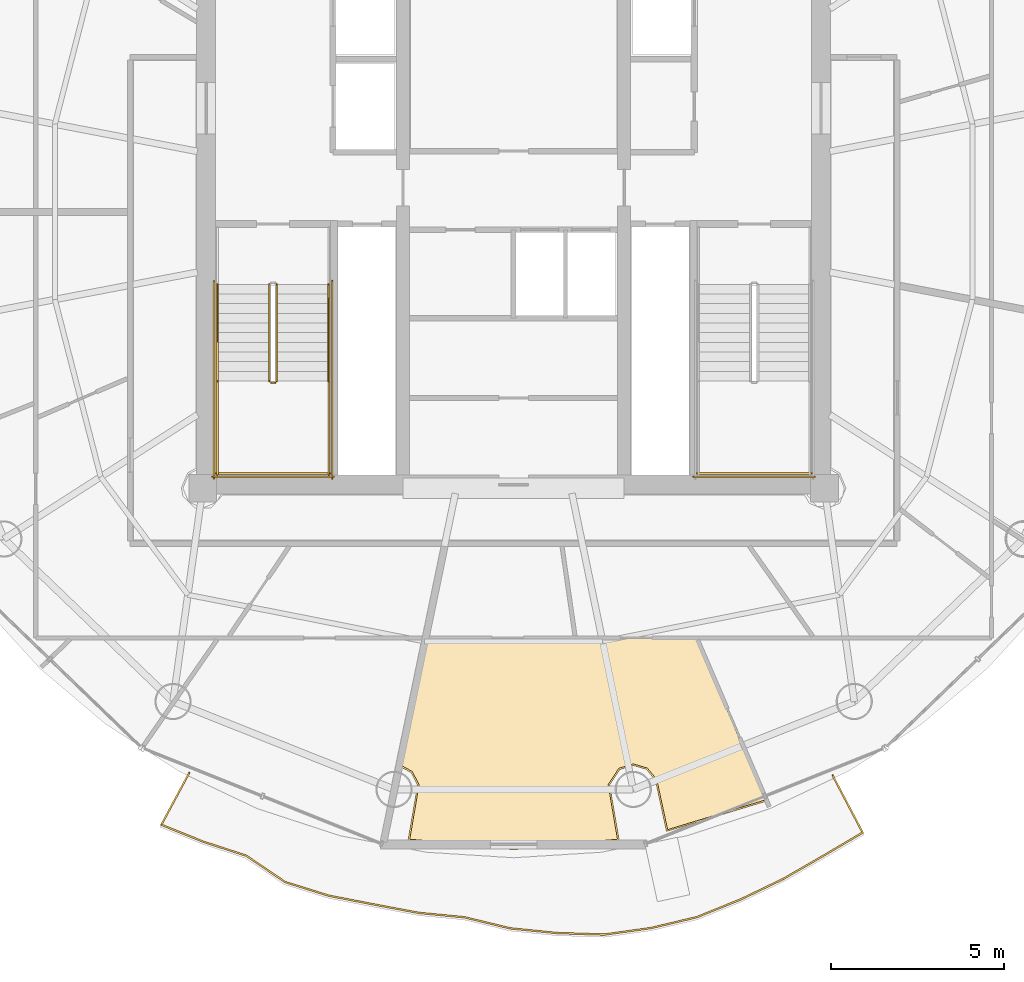
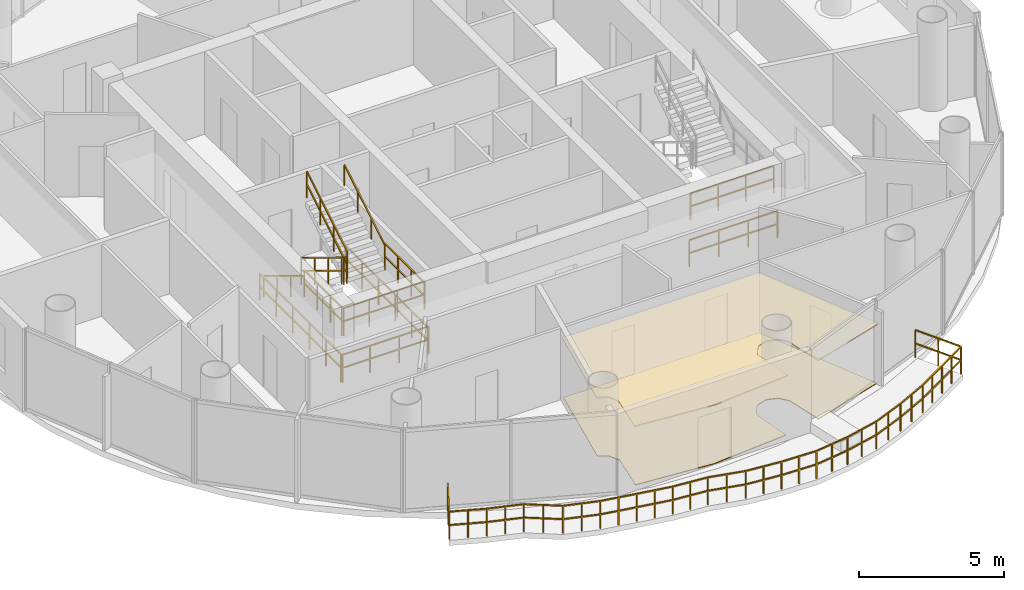
# One storey, part 21 of 23: 14 railings, 2 coverings.
"""IFC4 building model written with IfcOpenShell, lengths in metres."""

from ifc_helpers import new_model, si_unit, direction, frame, origin, origin_2d, place, context, subcontext, project, spatial, polyline, rectangle, outline, extrude, material, layer, layer_set, type_object, element, save


model = new_model("IFC4")

# Units and contexts
model_context = context("Model", 3, precision=1e-05, world=origin(), true_north=direction((-0.2419218956, 0.970295726276)))
body_context = subcontext(model_context, "Body", "Model", "MODEL_VIEW")
ifc_project = project(units=[si_unit("LENGTHUNIT", "METRE"), si_unit("AREAUNIT", "SQUARE_METRE"), si_unit("VOLUMEUNIT", "CUBIC_METRE"), si_unit("PLANEANGLEUNIT", "RADIAN"), si_unit("MASSUNIT", "GRAM", prefix="KILO")], contexts=[model_context])

# Site, building, storey
site_placement = place(None, origin())
site = spatial("IfcSite", under=ifc_project, at=site_placement, CompositionType="ELEMENT")
building_placement = place(site_placement, origin())
building = spatial("IfcBuilding", under=site, at=building_placement, Name="Cobrevalo Terracotta Tower", CompositionType="ELEMENT")
storey_placement = place(building_placement, frame((0.0, 0.0, 259.449951171875)))
storey = spatial("IfcBuildingStorey", under=building, at=storey_placement, Name="L68", CompositionType="ELEMENT", Elevation=259.449951171875)

# Railing
ifc_material_1 = material(Name="Laminated structural glass and stainless steel", Category="steel")
railing_type_1 = type_object("IfcRailingType", Name="Balcony lobe structural glass & terracotta-cap balustrade 1180 mm", PredefinedType="BALUSTRADE", material=ifc_material_1)
railing_1_placement = place(storey_placement, frame((28.607666015625, 10.558349609375, 0.0)))
element("IfcRailing", 1, at=railing_1_placement, inside=storey, type_object=railing_type_1, Name="L68 spiralling balcony lobe balustrade 2", PredefinedType="BALUSTRADE", context=body_context, shape_type="SweptSolid", body=[
    extrude(rectangle(XDim=0.048095703125, YDim=0.048095703125, at=origin_2d()), frame((0.0, 0.0, 1.15576171875), z_axis=(-0.473391793007, -0.880851979798, 0.0), x_axis=(0.880851979798, -0.473391793007, 0.0)), (0.0, 0.0, 1.0), 1.70703125),
    extrude(rectangle(XDim=0.048095703125, YDim=0.048095703125, at=origin_2d()), frame((0.0, 0.0, 0.58984375), z_axis=(-0.473391793007, -0.880851979798, 0.0), x_axis=(0.880851979798, -0.473391793007, 0.0)), (0.0, 0.0, 1.0), 1.70703125),
    extrude(rectangle(XDim=0.048095703125, YDim=0.048095703125, at=origin_2d()), frame((-0.80810546875, -1.503662109375, 1.15576171875), z_axis=(0.927447710254, -0.373952864335, 0.0), x_axis=(0.373952864335, 0.927447710254, 0.0)), (0.0, 0.0, 1.0), 1.3134765625),
    extrude(rectangle(XDim=0.048095703125, YDim=0.048095703125, at=origin_2d()), frame((-0.80810546875, -1.503662109375, 0.58984375), z_axis=(0.927447710254, -0.373952864335, 0.0), x_axis=(0.373952864335, 0.927447710254, 0.0)), (0.0, 0.0, 1.0), 1.3134765625),
    extrude(rectangle(XDim=0.048095703125, YDim=0.048095703125, at=origin_2d()), frame((0.41015625, -1.994873046875, 1.15576171875), z_axis=(0.950719061288, -0.310053651008, 0.0), x_axis=(0.310053651008, 0.950719061288, 0.0)), (0.0, 0.0, 1.0), 1.306396484375),
    extrude(rectangle(XDim=0.048095703125, YDim=0.048095703125, at=origin_2d()), frame((0.41015625, -1.994873046875, 0.58984375), z_axis=(0.950719061288, -0.310053651008, 0.0), x_axis=(0.310053651008, 0.950719061288, 0.0)), (0.0, 0.0, 1.0), 1.306396484375),
    extrude(rectangle(XDim=0.048095703125, YDim=0.048095703125, at=origin_2d()), frame((1.652099609375, -2.39990234375, 1.15576171875), z_axis=(0.827848642668, -0.56095153519, 0.0), x_axis=(0.56095153519, 0.827848642668, 0.0)), (0.0, 0.0, 1.0), 1.357421875),
    extrude(rectangle(XDim=0.048095703125, YDim=0.048095703125, at=origin_2d()), frame((1.652099609375, -2.39990234375, 0.58984375), z_axis=(0.827848642668, -0.56095153519, 0.0), x_axis=(0.56095153519, 0.827848642668, 0.0)), (0.0, 0.0, 1.0), 1.357421875),
    extrude(rectangle(XDim=0.048095703125, YDim=0.048095703125, at=origin_2d()), frame((2.77587890625, -3.161376953125, 1.15576171875), z_axis=(0.954332200206, -0.298747471369, 0.0), x_axis=(0.298747471369, 0.954332200206, 0.0)), (0.0, 0.0, 1.0), 1.323974609375),
    extrude(rectangle(XDim=0.048095703125, YDim=0.048095703125, at=origin_2d()), frame((2.77587890625, -3.161376953125, 0.58984375), z_axis=(0.954332200206, -0.298747471369, 0.0), x_axis=(0.298747471369, 0.954332200206, 0.0)), (0.0, 0.0, 1.0), 1.323974609375),
    extrude(rectangle(XDim=0.048095703125, YDim=0.048095703125, at=origin_2d()), frame((4.039306640625, -3.556884765625, 1.15576171875), z_axis=(0.981703375417, -0.19041660299, 0.0), x_axis=(0.19041660299, 0.981703375417, 0.0)), (0.0, 0.0, 1.0), 1.326904296875),
    extrude(rectangle(XDim=0.048095703125, YDim=0.048095703125, at=origin_2d()), frame((4.039306640625, -3.556884765625, 0.58984375), z_axis=(0.981703375417, -0.19041660299, 0.0), x_axis=(0.19041660299, 0.981703375417, 0.0)), (0.0, 0.0, 1.0), 1.326904296875),
    extrude(rectangle(XDim=0.048095703125, YDim=0.048095703125, at=origin_2d()), frame((5.342041015625, -3.8095703125, 1.15576171875), z_axis=(0.982753249749, -0.184921740498, 0.0), x_axis=(0.184921740498, 0.982753249749, 0.0)), (0.0, 0.0, 1.0), 1.326904296875),
    extrude(rectangle(XDim=0.048095703125, YDim=0.048095703125, at=origin_2d()), frame((5.342041015625, -3.8095703125, 0.58984375), z_axis=(0.982753249749, -0.184921740498, 0.0), x_axis=(0.184921740498, 0.982753249749, 0.0)), (0.0, 0.0, 1.0), 1.326904296875),
    extrude(rectangle(XDim=0.048095703125, YDim=0.048095703125, at=origin_2d()), frame((6.64599609375, -4.054931640625, 1.15576171875), z_axis=(0.995406672088, -0.095736916404, 0.0), x_axis=(0.095736916404, 0.995406672088, 0.0)), (0.0, 0.0, 1.0), 1.32861328125),
    extrude(rectangle(XDim=0.048095703125, YDim=0.048095703125, at=origin_2d()), frame((6.64599609375, -4.054931640625, 0.58984375), z_axis=(0.995406672088, -0.095736916404, 0.0), x_axis=(0.095736916404, 0.995406672088, 0.0)), (0.0, 0.0, 1.0), 1.32861328125),
    extrude(rectangle(XDim=0.048095703125, YDim=0.048095703125, at=origin_2d()), frame((7.968505859375, -4.18212890625, 1.15576171875), z_axis=(0.971965365021, -0.235124071928, 0.0), x_axis=(0.235124071928, 0.971965365021, 0.0)), (0.0, 0.0, 1.0), 1.365478515625),
    extrude(rectangle(XDim=0.048095703125, YDim=0.048095703125, at=origin_2d()), frame((7.968505859375, -4.18212890625, 0.58984375), z_axis=(0.971965365021, -0.235124071928, 0.0), x_axis=(0.235124071928, 0.971965365021, 0.0)), (0.0, 0.0, 1.0), 1.365478515625),
    extrude(rectangle(XDim=0.048095703125, YDim=0.048095703125, at=origin_2d()), frame((9.295654296875, -4.503173828125, 1.15576171875), z_axis=(0.995014075066, -0.099734599916, 0.0), x_axis=(0.099734599916, 0.995014075066, 0.0)), (0.0, 0.0, 1.0), 1.361083984375),
    extrude(rectangle(XDim=0.048095703125, YDim=0.048095703125, at=origin_2d()), frame((9.295654296875, -4.503173828125, 0.58984375), z_axis=(0.995014075066, -0.099734599916, 0.0), x_axis=(0.099734599916, 0.995014075066, 0.0)), (0.0, 0.0, 1.0), 1.361083984375),
    extrude(rectangle(XDim=0.048095703125, YDim=0.048095703125, at=origin_2d()), frame((10.64990234375, -4.638916015625, 1.15576171875), z_axis=(0.999491893347, -0.031874051115, 0.0), x_axis=(0.031874051115, 0.999491893347, 0.0)), (0.0, 0.0, 1.0), 1.37109375),
    extrude(rectangle(XDim=0.048095703125, YDim=0.048095703125, at=origin_2d()), frame((10.64990234375, -4.638916015625, 0.58984375), z_axis=(0.999491893347, -0.031874051115, 0.0), x_axis=(0.031874051115, 0.999491893347, 0.0)), (0.0, 0.0, 1.0), 1.37109375),
    extrude(rectangle(XDim=0.048095703125, YDim=0.048095703125, at=origin_2d()), frame((12.020263671875, -4.6826171875, 1.15576171875), z_axis=(0.990311254165, 0.138865474021, 0.0), x_axis=(-0.138865474021, 0.990311254165, 0.0)), (0.0, 0.0, 1.0), 1.3642578125),
    extrude(rectangle(XDim=0.048095703125, YDim=0.048095703125, at=origin_2d()), frame((12.020263671875, -4.6826171875, 0.58984375), z_axis=(0.990311254165, 0.138865474021, 0.0), x_axis=(-0.138865474021, 0.990311254165, 0.0)), (0.0, 0.0, 1.0), 1.3642578125),
    extrude(rectangle(XDim=0.048095703125, YDim=0.048095703125, at=origin_2d()), frame((13.371337890625, -4.4931640625, 1.15576171875), z_axis=(0.972875224873, 0.231330492647, 0.0), x_axis=(-0.231330492647, 0.972875224873, 0.0)), (0.0, 0.0, 1.0), 1.36572265625),
    extrude(rectangle(XDim=0.048095703125, YDim=0.048095703125, at=origin_2d()), frame((13.371337890625, -4.4931640625, 0.58984375), z_axis=(0.972875224873, 0.231330492647, 0.0), x_axis=(-0.231330492647, 0.972875224873, 0.0)), (0.0, 0.0, 1.0), 1.36572265625),
    extrude(rectangle(XDim=0.048095703125, YDim=0.048095703125, at=origin_2d()), frame((14.699951171875, -4.17724609375, 1.15576171875), z_axis=(0.926976435531, 0.375119564899, 0.0), x_axis=(-0.375119564899, 0.926976435531, 0.0)), (0.0, 0.0, 1.0), 1.36474609375),
    extrude(rectangle(XDim=0.048095703125, YDim=0.048095703125, at=origin_2d()), frame((14.699951171875, -4.17724609375, 0.58984375), z_axis=(0.926976435531, 0.375119564899, 0.0), x_axis=(-0.375119564899, 0.926976435531, 0.0)), (0.0, 0.0, 1.0), 1.36474609375),
    extrude(rectangle(XDim=0.048095703125, YDim=0.048095703125, at=origin_2d()), frame((15.965087890625, -3.665283203125, 1.15576171875), z_axis=(0.90126458519, 0.433269139776, 0.0), x_axis=(-0.433269139776, 0.90126458519, 0.0)), (0.0, 0.0, 1.0), 1.35693359375),
    extrude(rectangle(XDim=0.048095703125, YDim=0.048095703125, at=origin_2d()), frame((15.965087890625, -3.665283203125, 0.58984375), z_axis=(0.90126458519, 0.433269139776, 0.0), x_axis=(-0.433269139776, 0.90126458519, 0.0)), (0.0, 0.0, 1.0), 1.35693359375),
    extrude(rectangle(XDim=0.048095703125, YDim=0.048095703125, at=origin_2d()), frame((17.18798828125, -3.077392578125, 1.15576171875), z_axis=(0.866022320763, 0.500005339912, 0.0), x_axis=(-0.500005339912, 0.866022320763, 0.0)), (0.0, 0.0, 1.0), 1.3447265625),
    extrude(rectangle(XDim=0.048095703125, YDim=0.048095703125, at=origin_2d()), frame((17.18798828125, -3.077392578125, 0.58984375), z_axis=(0.866022320763, 0.500005339912, 0.0), x_axis=(-0.500005339912, 0.866022320763, 0.0)), (0.0, 0.0, 1.0), 1.3447265625),
    extrude(rectangle(XDim=0.048095703125, YDim=0.048095703125, at=origin_2d()), frame((18.3525390625, -2.405029296875, 1.15576171875), z_axis=(0.861580043035, 0.507621738545, 0.0), x_axis=(-0.507621738545, 0.861580043035, 0.0)), (0.0, 0.0, 1.0), 1.329833984375),
    extrude(rectangle(XDim=0.048095703125, YDim=0.048095703125, at=origin_2d()), frame((18.3525390625, -2.405029296875, 0.58984375), z_axis=(0.861580043035, 0.507621738545, 0.0), x_axis=(-0.507621738545, 0.861580043035, 0.0)), (0.0, 0.0, 1.0), 1.329833984375),
    extrude(rectangle(XDim=0.048095703125, YDim=0.048095703125, at=origin_2d()), frame((19.498291015625, -1.72998046875, 1.15576171875), z_axis=(-0.46554739259, 0.885022951823, 0.0), x_axis=(-0.885022951823, -0.46554739259, 0.0)), (0.0, 0.0, 1.0), 1.87060546875),
    extrude(rectangle(XDim=0.048095703125, YDim=0.048095703125, at=origin_2d()), frame((19.498291015625, -1.72998046875, 0.58984375), z_axis=(-0.46554739259, 0.885022951823, 0.0), x_axis=(-0.885022951823, -0.46554739259, 0.0)), (0.0, 0.0, 1.0), 1.87060546875),
    extrude(rectangle(XDim=0.0419921875, YDim=0.0419921875, at=origin_2d()), origin(), (0.0, 0.0, 1.0), 1.1318359375),
    extrude(rectangle(XDim=0.0419921875, YDim=0.0419921875, at=origin_2d()), frame((-0.404052734375, -0.751953125, 0.0)), (0.0, 0.0, 1.0), 1.1318359375),
    extrude(rectangle(XDim=0.0419921875, YDim=0.0419921875, at=origin_2d()), frame((-0.80810546875, -1.503662109375, 0.0)), (0.0, 0.0, 1.0), 1.1318359375),
    extrude(rectangle(XDim=0.0419921875, YDim=0.0419921875, at=origin_2d()), frame((-0.198974609375, -1.749267578125, 0.0)), (0.0, 0.0, 1.0), 1.1318359375),
    extrude(rectangle(XDim=0.0419921875, YDim=0.0419921875, at=origin_2d()), frame((0.41015625, -1.994873046875, 0.0)), (0.0, 0.0, 1.0), 1.1318359375),
    extrude(rectangle(XDim=0.0419921875, YDim=0.0419921875, at=origin_2d()), frame((1.03125, -2.197265625, 0.0)), (0.0, 0.0, 1.0), 1.1318359375),
    extrude(rectangle(XDim=0.0419921875, YDim=0.0419921875, at=origin_2d()), frame((1.652099609375, -2.39990234375, 0.0)), (0.0, 0.0, 1.0), 1.1318359375),
    extrude(rectangle(XDim=0.0419921875, YDim=0.0419921875, at=origin_2d()), frame((2.2138671875, -2.78076171875, 0.0)), (0.0, 0.0, 1.0), 1.1318359375),
    extrude(rectangle(XDim=0.0419921875, YDim=0.0419921875, at=origin_2d()), frame((2.77587890625, -3.161376953125, 0.0)), (0.0, 0.0, 1.0), 1.1318359375),
    extrude(rectangle(XDim=0.0419921875, YDim=0.0419921875, at=origin_2d()), frame((3.40771484375, -3.359130859375, 0.0)), (0.0, 0.0, 1.0), 1.1318359375),
    extrude(rectangle(XDim=0.0419921875, YDim=0.0419921875, at=origin_2d()), frame((4.039306640625, -3.556884765625, 0.0)), (0.0, 0.0, 1.0), 1.1318359375),
    extrude(rectangle(XDim=0.0419921875, YDim=0.0419921875, at=origin_2d()), frame((4.690673828125, -3.68310546875, 0.0)), (0.0, 0.0, 1.0), 1.1318359375),
    extrude(rectangle(XDim=0.0419921875, YDim=0.0419921875, at=origin_2d()), frame((5.342041015625, -3.8095703125, 0.0)), (0.0, 0.0, 1.0), 1.1318359375),
    extrude(rectangle(XDim=0.0419921875, YDim=0.0419921875, at=origin_2d()), frame((5.994140625, -3.93212890625, 0.0)), (0.0, 0.0, 1.0), 1.1318359375),
    extrude(rectangle(XDim=0.0419921875, YDim=0.0419921875, at=origin_2d()), frame((6.64599609375, -4.054931640625, 0.0)), (0.0, 0.0, 1.0), 1.1318359375),
    extrude(rectangle(XDim=0.0419921875, YDim=0.0419921875, at=origin_2d()), frame((7.30712890625, -4.11865234375, 0.0)), (0.0, 0.0, 1.0), 1.1318359375),
    extrude(rectangle(XDim=0.0419921875, YDim=0.0419921875, at=origin_2d()), frame((7.968505859375, -4.18212890625, 0.0)), (0.0, 0.0, 1.0), 1.1318359375),
    extrude(rectangle(XDim=0.0419921875, YDim=0.0419921875, at=origin_2d()), frame((8.632080078125, -4.3427734375, 0.0)), (0.0, 0.0, 1.0), 1.1318359375),
    extrude(rectangle(XDim=0.0419921875, YDim=0.0419921875, at=origin_2d()), frame((9.295654296875, -4.503173828125, 0.0)), (0.0, 0.0, 1.0), 1.1318359375),
    extrude(rectangle(XDim=0.0419921875, YDim=0.0419921875, at=origin_2d()), frame((9.97265625, -4.571044921875, 0.0)), (0.0, 0.0, 1.0), 1.1318359375),
    extrude(rectangle(XDim=0.0419921875, YDim=0.0419921875, at=origin_2d()), frame((10.64990234375, -4.638916015625, 0.0)), (0.0, 0.0, 1.0), 1.1318359375),
    extrude(rectangle(XDim=0.0419921875, YDim=0.0419921875, at=origin_2d()), frame((11.3349609375, -4.66064453125, 0.0)), (0.0, 0.0, 1.0), 1.1318359375),
    extrude(rectangle(XDim=0.0419921875, YDim=0.0419921875, at=origin_2d()), frame((12.020263671875, -4.6826171875, 0.0)), (0.0, 0.0, 1.0), 1.1318359375),
    extrude(rectangle(XDim=0.0419921875, YDim=0.0419921875, at=origin_2d()), frame((12.69580078125, -4.587890625, 0.0)), (0.0, 0.0, 1.0), 1.1318359375),
    extrude(rectangle(XDim=0.0419921875, YDim=0.0419921875, at=origin_2d()), frame((13.371337890625, -4.4931640625, 0.0)), (0.0, 0.0, 1.0), 1.1318359375),
    extrude(rectangle(XDim=0.0419921875, YDim=0.0419921875, at=origin_2d()), frame((14.03564453125, -4.335205078125, 0.0)), (0.0, 0.0, 1.0), 1.1318359375),
    extrude(rectangle(XDim=0.0419921875, YDim=0.0419921875, at=origin_2d()), frame((14.699951171875, -4.17724609375, 0.0)), (0.0, 0.0, 1.0), 1.1318359375),
    extrude(rectangle(XDim=0.0419921875, YDim=0.0419921875, at=origin_2d()), frame((15.33251953125, -3.92138671875, 0.0)), (0.0, 0.0, 1.0), 1.1318359375),
    extrude(rectangle(XDim=0.0419921875, YDim=0.0419921875, at=origin_2d()), frame((15.965087890625, -3.665283203125, 0.0)), (0.0, 0.0, 1.0), 1.1318359375),
    extrude(rectangle(XDim=0.0419921875, YDim=0.0419921875, at=origin_2d()), frame((16.57666015625, -3.371337890625, 0.0)), (0.0, 0.0, 1.0), 1.1318359375),
    extrude(rectangle(XDim=0.0419921875, YDim=0.0419921875, at=origin_2d()), frame((17.18798828125, -3.077392578125, 0.0)), (0.0, 0.0, 1.0), 1.1318359375),
    extrude(rectangle(XDim=0.0419921875, YDim=0.0419921875, at=origin_2d()), frame((17.770263671875, -2.7412109375, 0.0)), (0.0, 0.0, 1.0), 1.1318359375),
    extrude(rectangle(XDim=0.0419921875, YDim=0.0419921875, at=origin_2d()), frame((18.3525390625, -2.405029296875, 0.0)), (0.0, 0.0, 1.0), 1.1318359375),
    extrude(rectangle(XDim=0.0419921875, YDim=0.0419921875, at=origin_2d()), frame((18.92529296875, -2.0673828125, 0.0)), (0.0, 0.0, 1.0), 1.1318359375),
    extrude(rectangle(XDim=0.0419921875, YDim=0.0419921875, at=origin_2d()), frame((19.498291015625, -1.72998046875, 0.0)), (0.0, 0.0, 1.0), 1.1318359375),
    extrude(rectangle(XDim=0.0419921875, YDim=0.0419921875, at=origin_2d()), frame((19.06298828125, -0.90234375, 0.0)), (0.0, 0.0, 1.0), 1.1318359375),
    extrude(rectangle(XDim=0.0419921875, YDim=0.0419921875, at=origin_2d()), frame((18.62744140625, -0.074462890625, 0.0)), (0.0, 0.0, 1.0), 1.1318359375),
])

# Coverings
ifc_material_2 = material(Name="Engineered Brazilian hardwood flooring", Category="wood")
ifc_layer_1 = layer(ifc_material_2, 0.028076171875)
ifc_layer_set_1 = layer_set([ifc_layer_1], Name="Engineered Brazilian hardwood flooring")
covering_type_1 = type_object("IfcCoveringType", Name="Engineered Hardwood Suite Flooring 28", PredefinedType="FLOORING", material=ifc_layer_set_1)
covering_1_placement = place(storey_placement, origin())
element("IfcCovering", 2, at=covering_1_placement, inside=storey, type_object=covering_type_1, Name="Flat L68C Living and Dining Room floor finish", PredefinedType="FLOORING", context=body_context, shape_type="SweptSolid", body=[
    extrude(outline(polyline([(42.45947265625, 8.9140625), (42.144287109375, 10.3662109375), (41.869140625, 10.6962890625), (41.45703125, 10.817626953125), (41.046875, 10.689697265625), (40.73583984375, 10.21630859375), (41.005859375, 8.635498046875), (38.0, 8.380126953125), (34.994140625, 8.635498046875), (35.26416015625, 10.21630859375), (35.064453125, 10.596923828125), (34.71728515625, 10.79296875), (35.470947265625, 14.445068359375), (43.287353515625, 14.445068359375), (45.294189453125, 9.77490234375), (42.45947265625, 8.9140625)])), origin(), (0.0, 0.0, 1.0), 0.030029296875),
])
ifc_material_3 = material(Name="Acoustic perforated gypsum ceiling", Category="gypsum")
ifc_layer_2 = layer(ifc_material_3, 0.050048828125)
ifc_layer_set_2 = layer_set([ifc_layer_2], Name="Acoustic perforated gypsum ceiling")
covering_type_2 = type_object("IfcCoveringType", Name="Perforated Acoustic Gypsum Ceiling 50", PredefinedType="CEILING", material=ifc_layer_set_2)
covering_2_placement = place(storey_placement, frame((0.0, 0.0, 2.5)))
element("IfcCovering", 3, at=covering_2_placement, inside=storey, type_object=covering_type_2, Name="Flat L68C Living and Dining Room acoustic ceiling", PredefinedType="CEILING", context=body_context, shape_type="SweptSolid", body=[
    extrude(outline(polyline([(42.424560546875, 8.861328125), (42.102783203125, 10.3486328125), (41.84423828125, 10.658447265625), (41.45751953125, 10.7724609375), (41.072265625, 10.65234375), (40.7802734375, 10.207763671875), (41.05908203125, 8.599853515625), (38.0, 8.3349609375), (34.94091796875, 8.599853515625), (35.2197265625, 10.207763671875), (35.0322265625, 10.565185546875), (34.6650390625, 10.76220703125), (35.43408203125, 14.489990234375), (43.317138671875, 14.489990234375), (45.35498046875, 9.747314453125), (42.424560546875, 8.861328125)])), origin(), (0.0, 0.0, 1.0), 0.050048828125),
])

# Railings
ifc_material_4 = material(Name="Brushed stainless steel", Category="steel")
railing_type_2 = type_object("IfcRailingType", Name="Stainless Steel Stair Handrail 900", PredefinedType="HANDRAIL", material=ifc_material_4)
railing_2_placement = place(storey_placement, frame((29.425048828125, 24.699951171875, 0.17041015625)))
element("IfcRailing", 4, at=railing_2_placement, inside=storey, type_object=railing_type_2, Name="L68 ST-1 stair handrail 1", PredefinedType="HANDRAIL", context=body_context, shape_type="SweptSolid", body=[
    extrude(rectangle(XDim=0.048095703125, YDim=0.048095703125, at=origin_2d()), frame((0.0, 0.0, 0.8759765625), z_axis=(0.0, -0.854169791009, 0.51999420009), x_axis=(1.0, 0.0, 0.0)), (0.0, 0.0, 1.0), 3.278076171875),
    extrude(rectangle(XDim=0.0419921875, YDim=0.0419921875, at=origin_2d()), origin(), (0.0, 0.0, 1.0), 0.851806640625),
    extrude(rectangle(XDim=0.0419921875, YDim=0.0419921875, at=origin_2d()), frame((0.0, -0.933349609375, 0.568115234375)), (0.0, 0.0, 1.0), 0.851806640625),
    extrude(rectangle(XDim=0.0419921875, YDim=0.0419921875, at=origin_2d()), frame((0.0, -1.86669921875, 1.136474609375)), (0.0, 0.0, 1.0), 0.851806640625),
    extrude(rectangle(XDim=0.0419921875, YDim=0.0419921875, at=origin_2d()), frame((0.0, -2.800048828125, 1.70458984375)), (0.0, 0.0, 1.0), 0.851806640625),
])
railing_3_placement = place(storey_placement, frame((32.64501953125, 21.89990234375, 2.04541015625)))
element("IfcRailing", 5, at=railing_3_placement, inside=storey, type_object=railing_type_2, Name="L68 ST-1 stair handrail 2", PredefinedType="HANDRAIL", context=body_context, shape_type="SweptSolid", body=[
    extrude(rectangle(XDim=0.048095703125, YDim=0.048095703125, at=origin_2d()), frame((0.0, 0.0, 0.8759765625), z_axis=(0.0, 0.854169791009, 0.51999420009), x_axis=(-1.0, 0.0, 0.0)), (0.0, 0.0, 1.0), 3.278076171875),
    extrude(rectangle(XDim=0.0419921875, YDim=0.0419921875, at=origin_2d()), origin(), (0.0, 0.0, 1.0), 0.851806640625),
    extrude(rectangle(XDim=0.0419921875, YDim=0.0419921875, at=origin_2d()), frame((0.0, 0.933349609375, 0.568115234375)), (0.0, 0.0, 1.0), 0.851806640625),
    extrude(rectangle(XDim=0.0419921875, YDim=0.0419921875, at=origin_2d()), frame((0.0, 1.86669921875, 1.136474609375)), (0.0, 0.0, 1.0), 0.851806640625),
    extrude(rectangle(XDim=0.0419921875, YDim=0.0419921875, at=origin_2d()), frame((0.0, 2.800048828125, 1.70458984375)), (0.0, 0.0, 1.0), 0.851806640625),
])
ifc_material_5 = material(Name="Painted galvanized steel", Category="steel")
railing_type_3 = type_object("IfcRailingType", Name="Stair Well Guard Balustrade 1150", PredefinedType="GUARDRAIL", material=ifc_material_5)
railing_4_placement = place(storey_placement, frame((30.925048828125, 24.699951171875, 0.17041015625)))
element("IfcRailing", 6, at=railing_4_placement, inside=storey, type_object=railing_type_3, Name="L68 ST-1 stair guard 1", PredefinedType="GUARDRAIL", context=body_context, shape_type="SweptSolid", body=[
    extrude(rectangle(XDim=0.048095703125, YDim=0.048095703125, at=origin_2d()), frame((0.0, 0.0, 1.1259765625), z_axis=(0.0, -0.854169791009, 0.51999420009), x_axis=(1.0, 0.0, 0.0)), (0.0, 0.0, 1.0), 3.278076171875),
    extrude(rectangle(XDim=0.048095703125, YDim=0.048095703125, at=origin_2d()), frame((0.0, 0.0, 0.574951171875), z_axis=(0.0, -0.854169791009, 0.51999420009), x_axis=(1.0, 0.0, 0.0)), (0.0, 0.0, 1.0), 3.278076171875),
    extrude(rectangle(XDim=0.0419921875, YDim=0.0419921875, at=origin_2d()), origin(), (0.0, 0.0, 1.0), 1.101806640625),
    extrude(rectangle(XDim=0.0419921875, YDim=0.0419921875, at=origin_2d()), frame((0.0, -0.933349609375, 0.568115234375)), (0.0, 0.0, 1.0), 1.101806640625),
    extrude(rectangle(XDim=0.0419921875, YDim=0.0419921875, at=origin_2d()), frame((0.0, -1.86669921875, 1.136474609375)), (0.0, 0.0, 1.0), 1.101806640625),
    extrude(rectangle(XDim=0.0419921875, YDim=0.0419921875, at=origin_2d()), frame((0.0, -2.800048828125, 1.70458984375)), (0.0, 0.0, 1.0), 1.101806640625),
])
railing_5_placement = place(storey_placement, frame((30.97509765625, 21.85009765625, 1.875)))
element("IfcRailing", 7, at=railing_5_placement, inside=storey, type_object=railing_type_3, Name="L68 ST-1 stair guard 2", PredefinedType="GUARDRAIL", context=body_context, shape_type="SweptSolid", body=[
    extrude(rectangle(XDim=0.048095703125, YDim=0.048095703125, at=origin_2d()), frame((0.0, 0.0, 1.1259765625), z_axis=(1.0, 0.0, 0.0), x_axis=(0.0, 1.0, 0.0)), (0.0, 0.0, 1.0), 0.119873046875),
    extrude(rectangle(XDim=0.048095703125, YDim=0.048095703125, at=origin_2d()), frame((0.0, 0.0, 0.574951171875), z_axis=(1.0, 0.0, 0.0), x_axis=(0.0, 1.0, 0.0)), (0.0, 0.0, 1.0), 0.119873046875),
    extrude(rectangle(XDim=0.0419921875, YDim=0.0419921875, at=origin_2d()), origin(), (0.0, 0.0, 1.0), 1.101806640625),
    extrude(rectangle(XDim=0.0419921875, YDim=0.0419921875, at=origin_2d()), frame((0.119873046875, 0.0, 0.0)), (0.0, 0.0, 1.0), 1.101806640625),
])
for number, where, name in (
    (8, (29.425048828125, 21.89990234375, 1.875), "L68 ST-1 stair guard 3"),
    (9, (32.64501953125, 21.89990234375, 1.875), "L68 ST-1 stair guard 4"),
):
    element("IfcRailing", number, at=place(storey_placement, frame(where)), inside=storey, type_object=railing_type_3, Name=name, PredefinedType="GUARDRAIL", context=body_context, shape_type="SweptSolid", body=[
        extrude(rectangle(XDim=0.048095703125, YDim=0.048095703125, at=origin_2d()), frame((0.0, 0.0, 1.1259765625), z_axis=(0.0, -1.0, 0.0), x_axis=(1.0, 0.0, 0.0)), (0.0, 0.0, 1.0), 2.724853515625),
        extrude(rectangle(XDim=0.048095703125, YDim=0.048095703125, at=origin_2d()), frame((0.0, 0.0, 0.574951171875), z_axis=(0.0, -1.0, 0.0), x_axis=(1.0, 0.0, 0.0)), (0.0, 0.0, 1.0), 2.724853515625),
        extrude(rectangle(XDim=0.0419921875, YDim=0.0419921875, at=origin_2d()), origin(), (0.0, 0.0, 1.0), 1.101806640625),
        extrude(rectangle(XDim=0.0419921875, YDim=0.0419921875, at=origin_2d()), frame((0.0, -0.908203125, 0.0)), (0.0, 0.0, 1.0), 1.101806640625),
        extrude(rectangle(XDim=0.0419921875, YDim=0.0419921875, at=origin_2d()), frame((0.0, -1.816650390625, 0.0)), (0.0, 0.0, 1.0), 1.101806640625),
        extrude(rectangle(XDim=0.0419921875, YDim=0.0419921875, at=origin_2d()), frame((0.0, -2.724853515625, 0.0)), (0.0, 0.0, 1.0), 1.101806640625),
    ])
railing_6_placement = place(storey_placement, frame((29.375, 19.22509765625, 1.875)))
element("IfcRailing", 10, at=railing_6_placement, inside=storey, type_object=railing_type_3, Name="L68 ST-1 stair guard 5", PredefinedType="GUARDRAIL", context=body_context, shape_type="SweptSolid", body=[
    extrude(rectangle(XDim=0.048095703125, YDim=0.048095703125, at=origin_2d()), frame((0.0, 0.0, 1.1259765625), z_axis=(1.0, 0.0, 0.0), x_axis=(0.0, 1.0, 0.0)), (0.0, 0.0, 1.0), 3.320068359375),
    extrude(rectangle(XDim=0.048095703125, YDim=0.048095703125, at=origin_2d()), frame((0.0, 0.0, 0.574951171875), z_axis=(1.0, 0.0, 0.0), x_axis=(0.0, 1.0, 0.0)), (0.0, 0.0, 1.0), 3.320068359375),
    extrude(rectangle(XDim=0.0419921875, YDim=0.0419921875, at=origin_2d()), origin(), (0.0, 0.0, 1.0), 1.101806640625),
    extrude(rectangle(XDim=0.0419921875, YDim=0.0419921875, at=origin_2d()), frame((1.106689453125, 0.0, 0.0)), (0.0, 0.0, 1.0), 1.101806640625),
    extrude(rectangle(XDim=0.0419921875, YDim=0.0419921875, at=origin_2d()), frame((2.21337890625, 0.0, 0.0)), (0.0, 0.0, 1.0), 1.101806640625),
    extrude(rectangle(XDim=0.0419921875, YDim=0.0419921875, at=origin_2d()), frame((3.320068359375, 0.0, 0.0)), (0.0, 0.0, 1.0), 1.101806640625),
])
railing_7_placement = place(storey_placement, frame((31.14501953125, 21.89990234375, 2.04541015625)))
element("IfcRailing", 11, at=railing_7_placement, inside=storey, type_object=railing_type_3, Name="L68 ST-1 stair guard 6", PredefinedType="GUARDRAIL", context=body_context, shape_type="SweptSolid", body=[
    extrude(rectangle(XDim=0.048095703125, YDim=0.048095703125, at=origin_2d()), frame((0.0, 0.0, 1.1259765625), z_axis=(0.0, 0.854169791009, 0.51999420009), x_axis=(-1.0, 0.0, 0.0)), (0.0, 0.0, 1.0), 3.278076171875),
    extrude(rectangle(XDim=0.048095703125, YDim=0.048095703125, at=origin_2d()), frame((0.0, 0.0, 0.574951171875), z_axis=(0.0, 0.854169791009, 0.51999420009), x_axis=(-1.0, 0.0, 0.0)), (0.0, 0.0, 1.0), 3.278076171875),
    extrude(rectangle(XDim=0.0419921875, YDim=0.0419921875, at=origin_2d()), origin(), (0.0, 0.0, 1.0), 1.101806640625),
    extrude(rectangle(XDim=0.0419921875, YDim=0.0419921875, at=origin_2d()), frame((0.0, 0.933349609375, 0.568115234375)), (0.0, 0.0, 1.0), 1.101806640625),
    extrude(rectangle(XDim=0.0419921875, YDim=0.0419921875, at=origin_2d()), frame((0.0, 1.86669921875, 1.136474609375)), (0.0, 0.0, 1.0), 1.101806640625),
    extrude(rectangle(XDim=0.0419921875, YDim=0.0419921875, at=origin_2d()), frame((0.0, 2.800048828125, 1.70458984375)), (0.0, 0.0, 1.0), 1.101806640625),
])
for number, where, name in (
    (12, (29.324951171875, 24.800048828125, 0.0), "L68 ST-1 stair guard 10"),
    (13, (32.7451171875, 24.800048828125, 0.0), "L68 ST-1 stair guard 11"),
):
    element("IfcRailing", number, at=place(storey_placement, frame(where)), inside=storey, type_object=railing_type_3, Name=name, PredefinedType="GUARDRAIL", context=body_context, shape_type="SweptSolid", body=[
        extrude(rectangle(XDim=0.048095703125, YDim=0.048095703125, at=origin_2d()), frame((0.0, 0.0, 1.1259765625), z_axis=(0.0, -1.0, 0.0), x_axis=(1.0, 0.0, 0.0)), (0.0, 0.0, 1.0), 5.72509765625),
        extrude(rectangle(XDim=0.048095703125, YDim=0.048095703125, at=origin_2d()), frame((0.0, 0.0, 0.574951171875), z_axis=(0.0, -1.0, 0.0), x_axis=(1.0, 0.0, 0.0)), (0.0, 0.0, 1.0), 5.72509765625),
        extrude(rectangle(XDim=0.0419921875, YDim=0.0419921875, at=origin_2d()), origin(), (0.0, 0.0, 1.0), 1.101806640625),
        extrude(rectangle(XDim=0.0419921875, YDim=0.0419921875, at=origin_2d()), frame((0.0, -1.14501953125, 0.0)), (0.0, 0.0, 1.0), 1.101806640625),
        extrude(rectangle(XDim=0.0419921875, YDim=0.0419921875, at=origin_2d()), frame((0.0, -2.2900390625, 0.0)), (0.0, 0.0, 1.0), 1.101806640625),
        extrude(rectangle(XDim=0.0419921875, YDim=0.0419921875, at=origin_2d()), frame((0.0, -3.43505859375, 0.0)), (0.0, 0.0, 1.0), 1.101806640625),
        extrude(rectangle(XDim=0.0419921875, YDim=0.0419921875, at=origin_2d()), frame((0.0, -4.580078125, 0.0)), (0.0, 0.0, 1.0), 1.101806640625),
        extrude(rectangle(XDim=0.0419921875, YDim=0.0419921875, at=origin_2d()), frame((0.0, -5.72509765625, 0.0)), (0.0, 0.0, 1.0), 1.101806640625),
    ])
railing_8_placement = place(storey_placement, frame((29.27490234375, 19.125, 0.0)))
element("IfcRailing", 14, at=railing_8_placement, inside=storey, type_object=railing_type_3, Name="L68 ST-1 stair guard 12", PredefinedType="GUARDRAIL", context=body_context, shape_type="SweptSolid", body=[
    extrude(rectangle(XDim=0.048095703125, YDim=0.048095703125, at=origin_2d()), frame((0.0, 0.0, 1.1259765625), z_axis=(1.0, 0.0, 0.0), x_axis=(0.0, 1.0, 0.0)), (0.0, 0.0, 1.0), 3.52001953125),
    extrude(rectangle(XDim=0.048095703125, YDim=0.048095703125, at=origin_2d()), frame((0.0, 0.0, 0.574951171875), z_axis=(1.0, 0.0, 0.0), x_axis=(0.0, 1.0, 0.0)), (0.0, 0.0, 1.0), 3.52001953125),
    extrude(rectangle(XDim=0.0419921875, YDim=0.0419921875, at=origin_2d()), origin(), (0.0, 0.0, 1.0), 1.101806640625),
    extrude(rectangle(XDim=0.0419921875, YDim=0.0419921875, at=origin_2d()), frame((1.17333984375, 0.0, 0.0)), (0.0, 0.0, 1.0), 1.101806640625),
    extrude(rectangle(XDim=0.0419921875, YDim=0.0419921875, at=origin_2d()), frame((2.3466796875, 0.0, 0.0)), (0.0, 0.0, 1.0), 1.101806640625),
    extrude(rectangle(XDim=0.0419921875, YDim=0.0419921875, at=origin_2d()), frame((3.52001953125, 0.0, 0.0)), (0.0, 0.0, 1.0), 1.101806640625),
])
railing_9_placement = place(storey_placement, frame((43.304931640625, 19.22509765625, 1.875)))
element("IfcRailing", 15, at=railing_9_placement, inside=storey, type_object=railing_type_3, Name="L68 ST-2 stair guard 5", PredefinedType="GUARDRAIL", context=body_context, shape_type="SweptSolid", body=[
    extrude(rectangle(XDim=0.048095703125, YDim=0.048095703125, at=origin_2d()), frame((0.0, 0.0, 1.1259765625), z_axis=(1.0, 0.0, 0.0), x_axis=(0.0, 1.0, 0.0)), (0.0, 0.0, 1.0), 3.320068359375),
    extrude(rectangle(XDim=0.048095703125, YDim=0.048095703125, at=origin_2d()), frame((0.0, 0.0, 0.574951171875), z_axis=(1.0, 0.0, 0.0), x_axis=(0.0, 1.0, 0.0)), (0.0, 0.0, 1.0), 3.320068359375),
    extrude(rectangle(XDim=0.0419921875, YDim=0.0419921875, at=origin_2d()), origin(), (0.0, 0.0, 1.0), 1.101806640625),
    extrude(rectangle(XDim=0.0419921875, YDim=0.0419921875, at=origin_2d()), frame((1.106689453125, 0.0, 0.0)), (0.0, 0.0, 1.0), 1.101806640625),
    extrude(rectangle(XDim=0.0419921875, YDim=0.0419921875, at=origin_2d()), frame((2.21337890625, 0.0, 0.0)), (0.0, 0.0, 1.0), 1.101806640625),
    extrude(rectangle(XDim=0.0419921875, YDim=0.0419921875, at=origin_2d()), frame((3.320068359375, 0.0, 0.0)), (0.0, 0.0, 1.0), 1.101806640625),
])
railing_10_placement = place(storey_placement, frame((43.205078125, 19.125, 0.0)))
element("IfcRailing", 16, at=railing_10_placement, inside=storey, type_object=railing_type_3, Name="L68 ST-2 stair guard 12", PredefinedType="GUARDRAIL", context=body_context, shape_type="SweptSolid", body=[
    extrude(rectangle(XDim=0.048095703125, YDim=0.048095703125, at=origin_2d()), frame((0.0, 0.0, 1.1259765625), z_axis=(1.0, 0.0, 0.0), x_axis=(0.0, 1.0, 0.0)), (0.0, 0.0, 1.0), 3.52001953125),
    extrude(rectangle(XDim=0.048095703125, YDim=0.048095703125, at=origin_2d()), frame((0.0, 0.0, 0.574951171875), z_axis=(1.0, 0.0, 0.0), x_axis=(0.0, 1.0, 0.0)), (0.0, 0.0, 1.0), 3.52001953125),
    extrude(rectangle(XDim=0.0419921875, YDim=0.0419921875, at=origin_2d()), origin(), (0.0, 0.0, 1.0), 1.101806640625),
    extrude(rectangle(XDim=0.0419921875, YDim=0.0419921875, at=origin_2d()), frame((1.17333984375, 0.0, 0.0)), (0.0, 0.0, 1.0), 1.101806640625),
    extrude(rectangle(XDim=0.0419921875, YDim=0.0419921875, at=origin_2d()), frame((2.3466796875, 0.0, 0.0)), (0.0, 0.0, 1.0), 1.101806640625),
    extrude(rectangle(XDim=0.0419921875, YDim=0.0419921875, at=origin_2d()), frame((3.52001953125, 0.0, 0.0)), (0.0, 0.0, 1.0), 1.101806640625),
])

save(model, "model.ifc")
